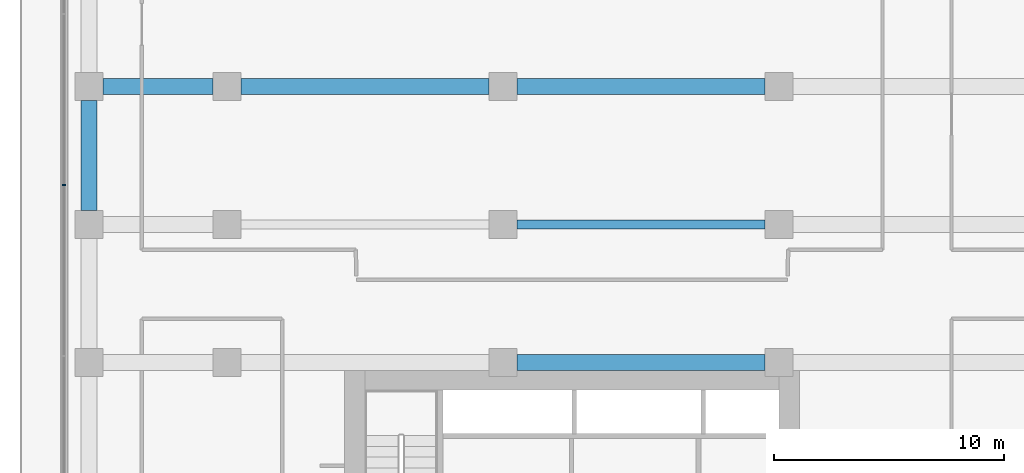
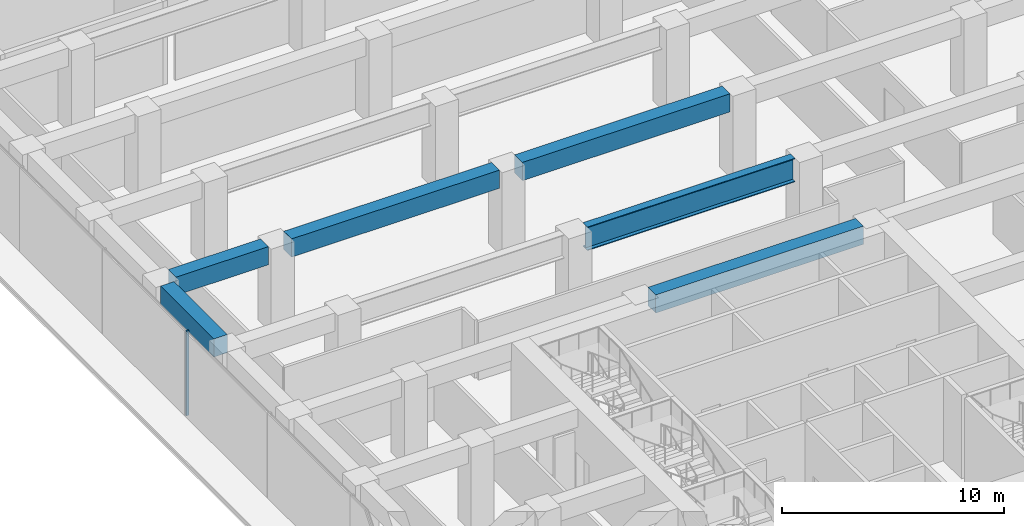
# One storey, part 9 of 40: 6 beams, 1 member, 1 element without a shape of its own.
"""IFC4 building model written with IfcOpenShell, lengths in metres."""

from ifc_helpers import new_model, si_unit, direction, frame, origin, origin_2d, place, context, subcontext, project, spatial, rectangle, i_section, extrude, material, layer, layer_set, material_profile, profile_set, type_object, element, aggregate, save


model = new_model("IFC4")

# Units and contexts
model_context = context("Model", 3, precision=1e-05, world=origin(), true_north=direction((0.0, 1.0)))
body_context = subcontext(model_context, "Body", "Model", "MODEL_VIEW")
ifc_project = project(units=[si_unit("LENGTHUNIT", "METRE"), si_unit("AREAUNIT", "SQUARE_METRE"), si_unit("VOLUMEUNIT", "CUBIC_METRE"), si_unit("PLANEANGLEUNIT", "RADIAN"), si_unit("MASSUNIT", "GRAM", prefix="KILO")], contexts=[model_context])

# Site, building, storey
site_placement = place(None, origin())
site = spatial("IfcSite", under=ifc_project, at=site_placement, CompositionType="ELEMENT")
building_placement = place(site_placement, origin())
building = spatial("IfcBuilding", under=site, at=building_placement, Name="Welwitschia Terrace Campus", CompositionType="ELEMENT")
storey_placement = place(building_placement, frame((0.0, 0.0, 6.0)))
storey = spatial("IfcBuildingStorey", under=building, at=storey_placement, Name="L01", CompositionType="ELEMENT", Elevation=6.0)

# Beams
ifc_material_1 = material(Name="Concrete C60/75", Category="concrete")
ifc_material_profile_1 = material_profile(ifc_material_1, rectangle(XDim=0.699951171875, YDim=1.0, at=origin_2d()))
ifc_profile_set_1 = profile_set([ifc_material_profile_1], Name="Concrete C60/75")
beam_type_1 = type_object("IfcBeamType", Name="Base block beam 700x1000", PredefinedType="BEAM", material=ifc_profile_set_1)
beam_1_placement = place(storey_placement, frame((12.6005859375, 26.0, 4.10009765625), z_axis=(1.0, 0.0, 0.0), x_axis=(0.0, 1.0, 0.0)))
element("IfcBeam", 1, at=beam_1_placement, inside=storey, type_object=beam_type_1, Name="Beam BB1", PredefinedType="BEAM", context=body_context, shape_type="SweptSolid", body=[
    extrude(rectangle(XDim=0.699951171875, YDim=1.0, at=origin_2d()), origin(), (0.0, 0.0, 1.0), 10.798828125),
])
beam_2_placement = place(storey_placement, frame((-5.3994140625, 38.0, 4.10009765625), z_axis=(1.0, 0.0, 0.0), x_axis=(0.0, 1.0, 0.0)))
element("IfcBeam", 2, at=beam_2_placement, inside=storey, type_object=beam_type_1, Name="Beam BB1", PredefinedType="BEAM", context=body_context, shape_type="SweptSolid", body=[
    extrude(rectangle(XDim=0.699951171875, YDim=1.0, at=origin_2d()), origin(), (0.0, 0.0, 1.0), 4.798828125),
])
for number, where, z_axis, x_axis, name in (
    (3, (0.6005859375, 38.0, 4.10009765625), (1.0, 0.0, 0.0), (0.0, 1.0, 0.0), "Beam BB1"),
    (4, (12.6005859375, 38.0, 4.10009765625), (1.0, 0.0, 0.0), (0.0, 1.0, 0.0), "Beam BB1"),
):
    element("IfcBeam", number, at=place(storey_placement, frame(where, z_axis=z_axis, x_axis=x_axis)), inside=storey, type_object=beam_type_1, Name=name, PredefinedType="BEAM", context=body_context, shape_type="SweptSolid", body=[
        extrude(rectangle(XDim=0.699951171875, YDim=1.0, at=origin_2d()), origin(), (0.0, 0.0, 1.0), 10.798828125),
    ])
beam_3_placement = place(storey_placement, frame((-6.0, 32.6005859375, 4.10009765625), z_axis=(0.0, 1.0, 0.0), x_axis=(-1.0, 0.0, 0.0)))
element("IfcBeam", 5, at=beam_3_placement, inside=storey, type_object=beam_type_1, Name="Beam BB1", PredefinedType="BEAM", context=body_context, shape_type="SweptSolid", body=[
    extrude(rectangle(XDim=0.699951171875, YDim=1.0, at=origin_2d()), origin(), (0.0, 0.0, 1.0), 4.798828125),
])

# Curtain wall, member
ifc_material_2 = material(Name="Bronze anodised aluminium", Category="aluminium")
ifc_layer = layer(ifc_material_2, 0.14990234375)
ifc_layer_set = layer_set([ifc_layer], Name="Bronze anodised aluminium")
curtain_wall_type = type_object("IfcCurtainWallType", Name="Curtain wall CW1 podium 7500", PredefinedType="NOTDEFINED", material=ifc_layer_set)
curtain_wall_placement = place(storey_placement, origin())
curtain_wall = element("IfcCurtainWall", 6, at=curtain_wall_placement, inside=storey, type_object=curtain_wall_type, Name="CW L01.6.0", PredefinedType="NOTDEFINED")
ifc_material_3 = material(Name="Bronze anodised aluminium", Category="aluminium")
ifc_material_profile_2 = material_profile(ifc_material_3, rectangle(XDim=0.14990234375, YDim=0.080078125, at=origin_2d()))
ifc_profile_set_2 = profile_set([ifc_material_profile_2], Name="Bronze anodised aluminium")
member_type = type_object("IfcMemberType", Name="Mullion 80x150", PredefinedType="MULLION", material=ifc_profile_set_2)
member_placement = place(storey_placement, frame((-7.0849609375, 33.716552734375, 0.0), z_axis=(0.0, 0.0, 1.0), x_axis=(1.0, 0.0, 0.0)))
member = element("IfcMember", 7, at=member_placement, type_object=member_type, Name="Mullion L01.6.0.4", PredefinedType="MULLION", context=body_context, shape_type="SweptSolid", body=[
    extrude(rectangle(XDim=0.14990234375, YDim=0.080078125, at=origin_2d()), origin(), (0.0, 0.0, 1.0), 4.64990234375),
])
aggregate(curtain_wall, [member])

# Beam
ifc_material_4 = material(Name="Steel S355", Category="steel")
ifc_material_profile_3 = material_profile(ifc_material_4, i_section(OverallWidth=0.39990234375, OverallDepth=1.300048828125, WebThickness=0.02490234375, FlangeThickness=0.0400390625, at=origin_2d()))
ifc_profile_set_3 = profile_set([ifc_material_profile_3], Name="Steel S355")
beam_type_2 = type_object("IfcBeamType", Name="Transfer girder WI 1300x400x25x40", PredefinedType="BEAM", material=ifc_profile_set_3)
beam_4_placement = place(storey_placement, frame((12.6005859375, 32.0, 3.949951171875), z_axis=(1.0, 0.0, 0.0), x_axis=(0.0, 1.0, 0.0)))
element("IfcBeam", 8, at=beam_4_placement, inside=storey, type_object=beam_type_2, Name="Transfer girder TG1", PredefinedType="BEAM", context=body_context, shape_type="SweptSolid", body=[
    extrude(i_section(OverallWidth=0.39990234375, OverallDepth=1.300048828125, WebThickness=0.02490234375, FlangeThickness=0.0400390625, at=origin_2d()), origin(), (0.0, 0.0, 1.0), 10.798828125),
])

save(model, "model.ifc")
